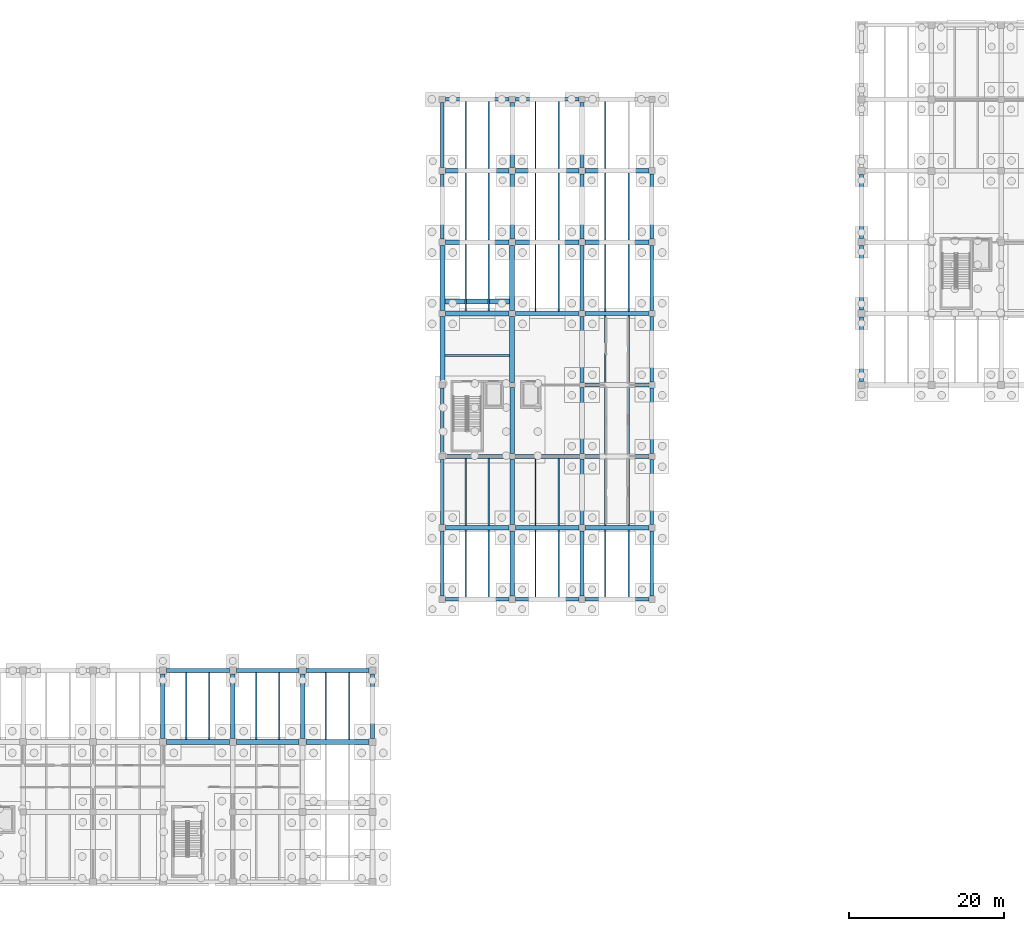
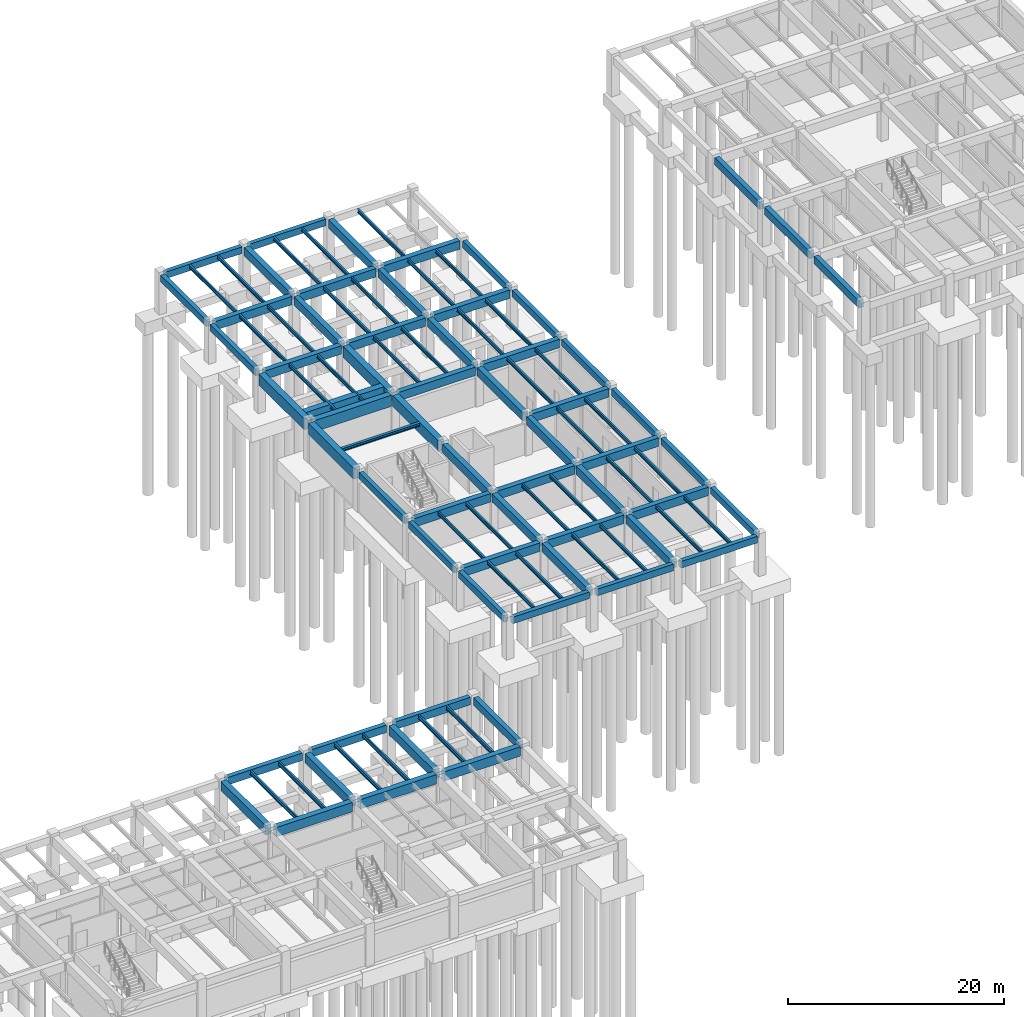
# One storey, part 6 of 16: 102 beams.
"""IFC4 building model written with IfcOpenShell, lengths in metres."""

from ifc_helpers import new_model, si_unit, direction, frame, origin, origin_2d, place, context, subcontext, project, spatial, rectangle, i_section, extrude, material, material_profile, profile_set, type_object, element, save


model = new_model("IFC4")

# Units and contexts
model_context = context("Model", 3, precision=1e-05, world=origin(), true_north=direction((0.0, 1.0)))
body_context = subcontext(model_context, "Body", "Model", "MODEL_VIEW")
ifc_project = project(units=[si_unit("LENGTHUNIT", "METRE"), si_unit("AREAUNIT", "SQUARE_METRE"), si_unit("VOLUMEUNIT", "CUBIC_METRE"), si_unit("PLANEANGLEUNIT", "RADIAN"), si_unit("MASSUNIT", "GRAM", prefix="KILO")], contexts=[model_context])

# Site, building, storey
site_placement = place(None, origin())
site = spatial("IfcSite", under=ifc_project, at=site_placement, CompositionType="ELEMENT")
building_placement = place(site_placement, origin())
building = spatial("IfcBuilding", under=site, at=building_placement, Name="Bozkorgan Art Gallery", CompositionType="ELEMENT")
storey_placement = place(building_placement, frame((0.0, 0.0, -4.800048828125)))
storey = spatial("IfcBuildingStorey", under=building, at=storey_placement, Name="B1", CompositionType="ELEMENT", Elevation=-4.800048828125)

# Beams
ifc_material_1 = material(Name="Concrete C35/45", Category="concrete")
ifc_material_profile_1 = material_profile(ifc_material_1, rectangle(XDim=0.60009765625, YDim=1.050048828125, at=origin_2d()), Name="RC 600x1050")
ifc_profile_set_1 = profile_set([ifc_material_profile_1], Name="Concrete C35/45")
beam_type_1 = type_object("IfcBeamType", Name="BEAM-BM-25", PredefinedType="BEAM", material=ifc_profile_set_1)
for number, where, z_axis, x_axis, name in (
    (1, (38.449951171875, 20.0, 3.955078125), (1.0, 0.0, 0.0), (0.0, 1.0, 0.0), "V1 B1 beam X (38-47, 20.0)"),
    (2, (47.449951171875, 20.0, 3.955078125), (1.0, 0.0, 0.0), (0.0, 1.0, 0.0), "V1 B1 beam X (47-56, 20.0)"),
    (3, (56.449951171875, 20.0, 3.955078125), (1.0, 0.0, 0.0), (0.0, 1.0, 0.0), "V1 B1 beam X (56-65, 20.0)"),
):
    element("IfcBeam", number, at=place(storey_placement, frame(where, z_axis=z_axis, x_axis=x_axis)), inside=storey, type_object=beam_type_1, Name=name, PredefinedType="BEAM", context=body_context, shape_type="SweptSolid", body=[
        extrude(rectangle(XDim=0.60009765625, YDim=1.050048828125, at=origin_2d()), origin(), (0.0, 0.0, 1.0), 8.10009765625),
    ])
for number, where, z_axis, x_axis, name in (
    (4, (38.0, 20.449951171875, 3.955078125), (0.0, 1.0, 0.0), (-1.0, 0.0, 0.0), "V1 B1 beam Y (38, 20.0-29.2)"),
    (5, (47.0, 20.449951171875, 3.955078125), (0.0, 1.0, 0.0), (-1.0, 0.0, 0.0), "V1 B1 beam Y (47, 20.0-29.2)"),
    (6, (56.0, 20.449951171875, 3.955078125), (0.0, 1.0, 0.0), (-1.0, 0.0, 0.0), "V1 B1 beam Y (56, 20.0-29.2)"),
):
    element("IfcBeam", number, at=place(storey_placement, frame(where, z_axis=z_axis, x_axis=x_axis)), inside=storey, type_object=beam_type_1, Name=name, PredefinedType="BEAM", context=body_context, shape_type="SweptSolid", body=[
        extrude(rectangle(XDim=0.60009765625, YDim=1.050048828125, at=origin_2d()), origin(), (0.0, 0.0, 1.0), 8.300048828125),
    ])
ifc_material_profile_2 = material_profile(ifc_material_1, rectangle(XDim=0.550048828125, YDim=0.949951171875, at=origin_2d()), Name="RC 550x950")
ifc_profile_set_2 = profile_set([ifc_material_profile_2], Name="Concrete C35/45")
beam_type_2 = type_object("IfcBeamType", Name="BEAM-BM-97", PredefinedType="BEAM", material=ifc_profile_set_2)
for number, where, z_axis, x_axis, name in (
    (7, (74.39990234375, 47.60009765625, 4.005126953125), (1.0, 0.0, 0.0), (0.0, 1.0, 0.0), "V4 B1 beam X (74-83, 47.6)"),
    (8, (83.39990234375, 47.60009765625, 4.005126953125), (1.0, 0.0, 0.0), (0.0, 1.0, 0.0), "V4 B1 beam X (83-92, 47.6)"),
    (9, (92.39990234375, 47.60009765625, 4.005126953125), (1.0, 0.0, 0.0), (0.0, 1.0, 0.0), "V4 B1 beam X (92-101, 47.6)"),
):
    element("IfcBeam", number, at=place(storey_placement, frame(where, z_axis=z_axis, x_axis=x_axis)), inside=storey, type_object=beam_type_2, Name=name, PredefinedType="BEAM", context=body_context, shape_type="SweptSolid", body=[
        extrude(rectangle(XDim=0.550048828125, YDim=0.949951171875, at=origin_2d()), origin(), (0.0, 0.0, 1.0), 8.2001953125),
    ])
beam_1_placement = place(storey_placement, frame((74.39990234375, 56.800048828125, 4.005126953125), z_axis=(1.0, 0.0, 0.0), x_axis=(0.0, 1.0, 0.0)))
element("IfcBeam", 10, at=beam_1_placement, inside=storey, type_object=beam_type_2, Name="V4 B1 beam X (74-83, 56.8)", PredefinedType="BEAM", context=body_context, shape_type="SweptSolid", body=[
    extrude(rectangle(XDim=0.550048828125, YDim=0.949951171875, at=origin_2d()), origin(), (0.0, 0.0, 1.0), 8.25),
])
beam_2_placement = place(storey_placement, frame((83.35009765625, 56.800048828125, 4.005126953125), z_axis=(1.0, 0.0, 0.0), x_axis=(0.0, 1.0, 0.0)))
element("IfcBeam", 11, at=beam_2_placement, inside=storey, type_object=beam_type_2, Name="V4 B1 beam X (83-92, 56.8)", PredefinedType="BEAM", context=body_context, shape_type="SweptSolid", body=[
    extrude(rectangle(XDim=0.550048828125, YDim=0.949951171875, at=origin_2d()), origin(), (0.0, 0.0, 1.0), 8.2998046875),
])
for number, where, z_axis, x_axis, name in (
    (12, (92.35009765625, 56.800048828125, 4.005126953125), (1.0, 0.0, 0.0), (0.0, 1.0, 0.0), "V4 B1 beam X (92-101, 56.8)"),
    (13, (92.35009765625, 66.0, 4.005126953125), (1.0, 0.0, 0.0), (0.0, 1.0, 0.0), "V4 B1 beam X (92-101, 66.0)"),
):
    element("IfcBeam", number, at=place(storey_placement, frame(where, z_axis=z_axis, x_axis=x_axis)), inside=storey, type_object=beam_type_2, Name=name, PredefinedType="BEAM", context=body_context, shape_type="SweptSolid", body=[
        extrude(rectangle(XDim=0.550048828125, YDim=0.949951171875, at=origin_2d()), origin(), (0.0, 0.0, 1.0), 8.25),
    ])
for number, where, z_axis, x_axis, name in (
    (14, (83.39990234375, 75.199951171875, 4.005126953125), (1.0, 0.0, 0.0), (0.0, 1.0, 0.0), "V4 B1 beam X (83-92, 75.2)"),
    (15, (92.39990234375, 75.199951171875, 4.005126953125), (1.0, 0.0, 0.0), (0.0, 1.0, 0.0), "V4 B1 beam X (92-101, 75.2)"),
    (16, (74.39990234375, 84.39990234375, 4.005126953125), (1.0, 0.0, 0.0), (0.0, 1.0, 0.0), "V4 B1 beam X (74-83, 84.4)"),
    (17, (83.39990234375, 84.39990234375, 4.005126953125), (1.0, 0.0, 0.0), (0.0, 1.0, 0.0), "V4 B1 beam X (83-92, 84.4)"),
    (18, (92.39990234375, 84.39990234375, 4.005126953125), (1.0, 0.0, 0.0), (0.0, 1.0, 0.0), "V4 B1 beam X (92-101, 84.4)"),
    (19, (74.39990234375, 93.60009765625, 4.005126953125), (1.0, 0.0, 0.0), (0.0, 1.0, 0.0), "V4 B1 beam X (74-83, 93.6)"),
    (20, (83.39990234375, 93.60009765625, 4.005126953125), (1.0, 0.0, 0.0), (0.0, 1.0, 0.0), "V4 B1 beam X (83-92, 93.6)"),
    (21, (92.39990234375, 93.60009765625, 4.005126953125), (1.0, 0.0, 0.0), (0.0, 1.0, 0.0), "V4 B1 beam X (92-101, 93.6)"),
):
    element("IfcBeam", number, at=place(storey_placement, frame(where, z_axis=z_axis, x_axis=x_axis)), inside=storey, type_object=beam_type_2, Name=name, PredefinedType="BEAM", context=body_context, shape_type="SweptSolid", body=[
        extrude(rectangle(XDim=0.550048828125, YDim=0.949951171875, at=origin_2d()), origin(), (0.0, 0.0, 1.0), 8.2001953125),
    ])
beam_3_placement = place(storey_placement, frame((83.0, 38.800048828125, 4.005126953125), z_axis=(0.0, 1.0, 0.0), x_axis=(-1.0, 0.0, 0.0)))
element("IfcBeam", 22, at=beam_3_placement, inside=storey, type_object=beam_type_2, Name="V4 B1 beam Y (83, 38.4-47.6)", PredefinedType="BEAM", context=body_context, shape_type="SweptSolid", body=[
    extrude(rectangle(XDim=0.550048828125, YDim=0.949951171875, at=origin_2d()), origin(), (0.0, 0.0, 1.0), 8.39990234375),
])
beam_4_placement = place(storey_placement, frame((83.0, 48.0, 4.005126953125), z_axis=(0.0, 1.0, 0.0), x_axis=(-1.0, 0.0, 0.0)))
element("IfcBeam", 23, at=beam_4_placement, inside=storey, type_object=beam_type_2, Name="V4 B1 beam Y (83, 47.6-56.8)", PredefinedType="BEAM", context=body_context, shape_type="SweptSolid", body=[
    extrude(rectangle(XDim=0.550048828125, YDim=0.949951171875, at=origin_2d()), origin(), (0.0, 0.0, 1.0), 8.449951171875),
])
beam_5_placement = place(storey_placement, frame((83.0, 57.14990234375, 4.005126953125), z_axis=(0.0, 1.0, 0.0), x_axis=(-1.0, 0.0, 0.0)))
element("IfcBeam", 24, at=beam_5_placement, inside=storey, type_object=beam_type_2, Name="V4 B1 beam Y (83, 56.8-66.0)", PredefinedType="BEAM", context=body_context, shape_type="SweptSolid", body=[
    extrude(rectangle(XDim=0.550048828125, YDim=0.949951171875, at=origin_2d()), origin(), (0.0, 0.0, 1.0), 8.5),
])
for number, where, z_axis, x_axis, name in (
    (25, (83.0, 84.800048828125, 4.005126953125), (0.0, 1.0, 0.0), (-1.0, 0.0, 0.0), "V4 B1 beam Y (83, 84.4-93.6)"),
    (26, (83.0, 94.0, 4.005126953125), (0.0, 1.0, 0.0), (-1.0, 0.0, 0.0), "V4 B1 beam Y (83, 93.6-102.8)"),
    (27, (92.0, 38.800048828125, 4.005126953125), (0.0, 1.0, 0.0), (-1.0, 0.0, 0.0), "V4 B1 beam Y (92, 38.4-47.6)"),
):
    element("IfcBeam", number, at=place(storey_placement, frame(where, z_axis=z_axis, x_axis=x_axis)), inside=storey, type_object=beam_type_2, Name=name, PredefinedType="BEAM", context=body_context, shape_type="SweptSolid", body=[
        extrude(rectangle(XDim=0.550048828125, YDim=0.949951171875, at=origin_2d()), origin(), (0.0, 0.0, 1.0), 8.39990234375),
    ])
beam_6_placement = place(storey_placement, frame((92.0, 48.0, 4.005126953125), z_axis=(0.0, 1.0, 0.0), x_axis=(-1.0, 0.0, 0.0)))
element("IfcBeam", 28, at=beam_6_placement, inside=storey, type_object=beam_type_2, Name="V4 B1 beam Y (92, 47.6-56.8)", PredefinedType="BEAM", context=body_context, shape_type="SweptSolid", body=[
    extrude(rectangle(XDim=0.550048828125, YDim=0.949951171875, at=origin_2d()), origin(), (0.0, 0.0, 1.0), 8.449951171875),
])
beam_7_placement = place(storey_placement, frame((92.0, 57.14990234375, 4.005126953125), z_axis=(0.0, 1.0, 0.0), x_axis=(-1.0, 0.0, 0.0)))
element("IfcBeam", 29, at=beam_7_placement, inside=storey, type_object=beam_type_2, Name="V4 B1 beam Y (92, 56.8-66.0)", PredefinedType="BEAM", context=body_context, shape_type="SweptSolid", body=[
    extrude(rectangle(XDim=0.550048828125, YDim=0.949951171875, at=origin_2d()), origin(), (0.0, 0.0, 1.0), 8.5),
])
beam_8_placement = place(storey_placement, frame((92.0, 66.35009765625, 4.005126953125), z_axis=(0.0, 1.0, 0.0), x_axis=(-1.0, 0.0, 0.0)))
element("IfcBeam", 30, at=beam_8_placement, inside=storey, type_object=beam_type_2, Name="V4 B1 beam Y (92, 66.0-75.2)", PredefinedType="BEAM", context=body_context, shape_type="SweptSolid", body=[
    extrude(rectangle(XDim=0.550048828125, YDim=0.949951171875, at=origin_2d()), origin(), (0.0, 0.0, 1.0), 8.449951171875),
])
for number, where, z_axis, x_axis, name in (
    (31, (92.0, 75.60009765625, 4.005126953125), (0.0, 1.0, 0.0), (-1.0, 0.0, 0.0), "V4 B1 beam Y (92, 75.2-84.4)"),
    (32, (92.0, 84.800048828125, 4.005126953125), (0.0, 1.0, 0.0), (-1.0, 0.0, 0.0), "V4 B1 beam Y (92, 84.4-93.6)"),
    (33, (92.0, 94.0, 4.005126953125), (0.0, 1.0, 0.0), (-1.0, 0.0, 0.0), "V4 B1 beam Y (92, 93.6-102.8)"),
):
    element("IfcBeam", number, at=place(storey_placement, frame(where, z_axis=z_axis, x_axis=x_axis)), inside=storey, type_object=beam_type_2, Name=name, PredefinedType="BEAM", context=body_context, shape_type="SweptSolid", body=[
        extrude(rectangle(XDim=0.550048828125, YDim=0.949951171875, at=origin_2d()), origin(), (0.0, 0.0, 1.0), 8.39990234375),
    ])
ifc_material_2 = material(Name="Steel S355J2", Category="steel")
ifc_material_profile_3 = material_profile(ifc_material_2, i_section(OverallWidth=0.18994140625, OverallDepth=0.449951171875, WebThickness=0.009521484375, FlangeThickness=0.0146484375, FilletRadius=0.02099609375, at=origin_2d()), Name="IPE 450")
ifc_profile_set_3 = profile_set([ifc_material_profile_3], Name="Steel S355J2")
beam_type_3 = type_object("IfcBeamType", Name="BEAM-JS-56", PredefinedType="JOIST", material=ifc_profile_set_3)
for number, where, z_axis, x_axis, name in (
    (34, (41.0, 20.300048828125, 4.255126953125), (0.0, 1.0, 0.0), (-1.0, 0.0, 0.0), "V1 B1 secondary joist (38-47, 20.0-29.2) #1"),
    (35, (44.0, 20.300048828125, 4.255126953125), (0.0, 1.0, 0.0), (-1.0, 0.0, 0.0), "V1 B1 secondary joist (38-47, 20.0-29.2) #2"),
    (36, (50.0, 20.300048828125, 4.255126953125), (0.0, 1.0, 0.0), (-1.0, 0.0, 0.0), "V1 B1 secondary joist (47-56, 20.0-29.2) #1"),
    (37, (53.0, 20.300048828125, 4.255126953125), (0.0, 1.0, 0.0), (-1.0, 0.0, 0.0), "V1 B1 secondary joist (47-56, 20.0-29.2) #2"),
    (38, (59.0, 20.300048828125, 4.255126953125), (0.0, 1.0, 0.0), (-1.0, 0.0, 0.0), "V1 B1 secondary joist (56-65, 20.0-29.2) #1"),
    (39, (62.0, 20.300048828125, 4.255126953125), (0.0, 1.0, 0.0), (-1.0, 0.0, 0.0), "V1 B1 secondary joist (56-65, 20.0-29.2) #2"),
):
    element("IfcBeam", number, at=place(storey_placement, frame(where, z_axis=z_axis, x_axis=x_axis)), inside=storey, type_object=beam_type_3, Name=name, PredefinedType="JOIST", context=body_context, shape_type="SweptSolid", body=[
        extrude(i_section(OverallWidth=0.18994140625, OverallDepth=0.449951171875, WebThickness=0.009521484375, FlangeThickness=0.0146484375, FilletRadius=0.02099609375, at=origin_2d()), origin(), (0.0, 0.0, 1.0), 8.64990234375),
    ])
ifc_material_profile_4 = material_profile(ifc_material_2, i_section(OverallWidth=0.179931640625, OverallDepth=0.39990234375, WebThickness=0.008544921875, FlangeThickness=0.013427734375, FilletRadius=0.02099609375, at=origin_2d()), Name="IPE 400")
ifc_profile_set_4 = profile_set([ifc_material_profile_4], Name="Steel S355J2")
beam_type_4 = type_object("IfcBeamType", Name="BEAM-JS-83", PredefinedType="JOIST", material=ifc_profile_set_4)
for number, where, z_axis, x_axis, name in (
    (40, (77.0, 38.625, 4.280029296875), (0.0, 1.0, 0.0), (-1.0, 0.0, 0.0), "V4 B1 secondary joist (74-83, 38.4-47.6) #1"),
    (41, (80.0, 38.625, 4.280029296875), (0.0, 1.0, 0.0), (-1.0, 0.0, 0.0), "V4 B1 secondary joist (74-83, 38.4-47.6) #2"),
):
    element("IfcBeam", number, at=place(storey_placement, frame(where, z_axis=z_axis, x_axis=x_axis)), inside=storey, type_object=beam_type_4, Name=name, PredefinedType="JOIST", context=body_context, shape_type="SweptSolid", body=[
        extrude(i_section(OverallWidth=0.179931640625, OverallDepth=0.39990234375, WebThickness=0.008544921875, FlangeThickness=0.013427734375, FilletRadius=0.02099609375, at=origin_2d()), origin(), (0.0, 0.0, 1.0), 8.699951171875),
    ])
for number, where, z_axis, x_axis, name in (
    (42, (77.0, 47.875, 4.280029296875), (0.0, 1.0, 0.0), (-1.0, 0.0, 0.0), "V4 B1 secondary joist (74-83, 47.6-56.8) #1"),
    (43, (80.0, 47.875, 4.280029296875), (0.0, 1.0, 0.0), (-1.0, 0.0, 0.0), "V4 B1 secondary joist (74-83, 47.6-56.8) #2"),
):
    element("IfcBeam", number, at=place(storey_placement, frame(where, z_axis=z_axis, x_axis=x_axis)), inside=storey, type_object=beam_type_4, Name=name, PredefinedType="JOIST", context=body_context, shape_type="SweptSolid", body=[
        extrude(i_section(OverallWidth=0.179931640625, OverallDepth=0.39990234375, WebThickness=0.008544921875, FlangeThickness=0.013427734375, FilletRadius=0.02099609375, at=origin_2d()), origin(), (0.0, 0.0, 1.0), 8.64990234375),
    ])
for number, where, z_axis, x_axis, name in (
    (44, (77.0, 75.52490234375, 4.280029296875), (0.0, 1.0, 0.0), (-1.0, 0.0, 0.0), "V4 B1 secondary joist (74-83, 75.2-84.4) #1"),
    (45, (80.0, 75.52490234375, 4.280029296875), (0.0, 1.0, 0.0), (-1.0, 0.0, 0.0), "V4 B1 secondary joist (74-83, 75.2-84.4) #2"),
):
    element("IfcBeam", number, at=place(storey_placement, frame(where, z_axis=z_axis, x_axis=x_axis)), inside=storey, type_object=beam_type_4, Name=name, PredefinedType="JOIST", context=body_context, shape_type="SweptSolid", body=[
        extrude(i_section(OverallWidth=0.179931640625, OverallDepth=0.39990234375, WebThickness=0.008544921875, FlangeThickness=0.013427734375, FilletRadius=0.02099609375, at=origin_2d()), origin(), (0.0, 0.0, 1.0), 8.60009765625),
    ])
for number, where, z_axis, x_axis, name in (
    (46, (77.0, 84.675048828125, 4.280029296875), (0.0, 1.0, 0.0), (-1.0, 0.0, 0.0), "V4 B1 secondary joist (74-83, 84.4-93.6) #1"),
    (47, (80.0, 84.675048828125, 4.280029296875), (0.0, 1.0, 0.0), (-1.0, 0.0, 0.0), "V4 B1 secondary joist (74-83, 84.4-93.6) #2"),
):
    element("IfcBeam", number, at=place(storey_placement, frame(where, z_axis=z_axis, x_axis=x_axis)), inside=storey, type_object=beam_type_4, Name=name, PredefinedType="JOIST", context=body_context, shape_type="SweptSolid", body=[
        extrude(i_section(OverallWidth=0.179931640625, OverallDepth=0.39990234375, WebThickness=0.008544921875, FlangeThickness=0.013427734375, FilletRadius=0.02099609375, at=origin_2d()), origin(), (0.0, 0.0, 1.0), 8.64990234375),
    ])
for number, where, z_axis, x_axis, name in (
    (48, (77.0, 93.875, 4.280029296875), (0.0, 1.0, 0.0), (-1.0, 0.0, 0.0), "V4 B1 secondary joist (74-83, 93.6-102.8) #1"),
    (49, (80.0, 93.875, 4.280029296875), (0.0, 1.0, 0.0), (-1.0, 0.0, 0.0), "V4 B1 secondary joist (74-83, 93.6-102.8) #2"),
    (50, (86.0, 38.625, 4.280029296875), (0.0, 1.0, 0.0), (-1.0, 0.0, 0.0), "V4 B1 secondary joist (83-92, 38.4-47.6) #1"),
    (51, (89.0, 38.625, 4.280029296875), (0.0, 1.0, 0.0), (-1.0, 0.0, 0.0), "V4 B1 secondary joist (83-92, 38.4-47.6) #2"),
):
    element("IfcBeam", number, at=place(storey_placement, frame(where, z_axis=z_axis, x_axis=x_axis)), inside=storey, type_object=beam_type_4, Name=name, PredefinedType="JOIST", context=body_context, shape_type="SweptSolid", body=[
        extrude(i_section(OverallWidth=0.179931640625, OverallDepth=0.39990234375, WebThickness=0.008544921875, FlangeThickness=0.013427734375, FilletRadius=0.02099609375, at=origin_2d()), origin(), (0.0, 0.0, 1.0), 8.699951171875),
    ])
for number, where, z_axis, x_axis, name in (
    (52, (86.0, 47.875, 4.280029296875), (0.0, 1.0, 0.0), (-1.0, 0.0, 0.0), "V4 B1 secondary joist (83-92, 47.6-56.8) #1"),
    (53, (89.0, 47.875, 4.280029296875), (0.0, 1.0, 0.0), (-1.0, 0.0, 0.0), "V4 B1 secondary joist (83-92, 47.6-56.8) #2"),
    (54, (86.0, 75.47509765625, 4.280029296875), (0.0, 1.0, 0.0), (-1.0, 0.0, 0.0), "V4 B1 secondary joist (83-92, 75.2-84.4) #1"),
    (55, (89.0, 75.47509765625, 4.280029296875), (0.0, 1.0, 0.0), (-1.0, 0.0, 0.0), "V4 B1 secondary joist (83-92, 75.2-84.4) #2"),
    (56, (86.0, 84.675048828125, 4.280029296875), (0.0, 1.0, 0.0), (-1.0, 0.0, 0.0), "V4 B1 secondary joist (83-92, 84.4-93.6) #1"),
    (57, (89.0, 84.675048828125, 4.280029296875), (0.0, 1.0, 0.0), (-1.0, 0.0, 0.0), "V4 B1 secondary joist (83-92, 84.4-93.6) #2"),
):
    element("IfcBeam", number, at=place(storey_placement, frame(where, z_axis=z_axis, x_axis=x_axis)), inside=storey, type_object=beam_type_4, Name=name, PredefinedType="JOIST", context=body_context, shape_type="SweptSolid", body=[
        extrude(i_section(OverallWidth=0.179931640625, OverallDepth=0.39990234375, WebThickness=0.008544921875, FlangeThickness=0.013427734375, FilletRadius=0.02099609375, at=origin_2d()), origin(), (0.0, 0.0, 1.0), 8.64990234375),
    ])
for number, where, z_axis, x_axis, name in (
    (58, (86.0, 93.875, 4.280029296875), (0.0, 1.0, 0.0), (-1.0, 0.0, 0.0), "V4 B1 secondary joist (83-92, 93.6-102.8) #1"),
    (59, (89.0, 93.875, 4.280029296875), (0.0, 1.0, 0.0), (-1.0, 0.0, 0.0), "V4 B1 secondary joist (83-92, 93.6-102.8) #2"),
    (60, (95.0, 38.625, 4.280029296875), (0.0, 1.0, 0.0), (-1.0, 0.0, 0.0), "V4 B1 secondary joist (92-101, 38.4-47.6) #1"),
    (61, (98.0, 38.625, 4.280029296875), (0.0, 1.0, 0.0), (-1.0, 0.0, 0.0), "V4 B1 secondary joist (92-101, 38.4-47.6) #2"),
):
    element("IfcBeam", number, at=place(storey_placement, frame(where, z_axis=z_axis, x_axis=x_axis)), inside=storey, type_object=beam_type_4, Name=name, PredefinedType="JOIST", context=body_context, shape_type="SweptSolid", body=[
        extrude(i_section(OverallWidth=0.179931640625, OverallDepth=0.39990234375, WebThickness=0.008544921875, FlangeThickness=0.013427734375, FilletRadius=0.02099609375, at=origin_2d()), origin(), (0.0, 0.0, 1.0), 8.699951171875),
    ])
for number, where, z_axis, x_axis, name in (
    (62, (95.0, 47.875, 4.280029296875), (0.0, 1.0, 0.0), (-1.0, 0.0, 0.0), "V4 B1 secondary joist (92-101, 47.6-56.8) #1"),
    (63, (98.0, 47.875, 4.280029296875), (0.0, 1.0, 0.0), (-1.0, 0.0, 0.0), "V4 B1 secondary joist (92-101, 47.6-56.8) #2"),
):
    element("IfcBeam", number, at=place(storey_placement, frame(where, z_axis=z_axis, x_axis=x_axis)), inside=storey, type_object=beam_type_4, Name=name, PredefinedType="JOIST", context=body_context, shape_type="SweptSolid", body=[
        extrude(i_section(OverallWidth=0.179931640625, OverallDepth=0.39990234375, WebThickness=0.008544921875, FlangeThickness=0.013427734375, FilletRadius=0.02099609375, at=origin_2d()), origin(), (0.0, 0.0, 1.0), 8.64990234375),
    ])
for number, where, z_axis, x_axis, name in (
    (64, (95.0, 57.074951171875, 4.280029296875), (0.0, 1.0, 0.0), (-1.0, 0.0, 0.0), "V4 B1 secondary joist (92-101, 56.8-66.0) #1"),
    (65, (98.0, 57.074951171875, 4.280029296875), (0.0, 1.0, 0.0), (-1.0, 0.0, 0.0), "V4 B1 secondary joist (92-101, 56.8-66.0) #2"),
    (66, (95.0, 66.27490234375, 4.280029296875), (0.0, 1.0, 0.0), (-1.0, 0.0, 0.0), "V4 B1 secondary joist (92-101, 66.0-75.2) #1"),
    (67, (98.0, 66.27490234375, 4.280029296875), (0.0, 1.0, 0.0), (-1.0, 0.0, 0.0), "V4 B1 secondary joist (92-101, 66.0-75.2) #2"),
):
    element("IfcBeam", number, at=place(storey_placement, frame(where, z_axis=z_axis, x_axis=x_axis)), inside=storey, type_object=beam_type_4, Name=name, PredefinedType="JOIST", context=body_context, shape_type="SweptSolid", body=[
        extrude(i_section(OverallWidth=0.179931640625, OverallDepth=0.39990234375, WebThickness=0.008544921875, FlangeThickness=0.013427734375, FilletRadius=0.02099609375, at=origin_2d()), origin(), (0.0, 0.0, 1.0), 8.650146484375),
    ])
for number, where, z_axis, x_axis, name in (
    (68, (95.0, 75.47509765625, 4.280029296875), (0.0, 1.0, 0.0), (-1.0, 0.0, 0.0), "V4 B1 secondary joist (92-101, 75.2-84.4) #1"),
    (69, (98.0, 75.47509765625, 4.280029296875), (0.0, 1.0, 0.0), (-1.0, 0.0, 0.0), "V4 B1 secondary joist (92-101, 75.2-84.4) #2"),
    (70, (95.0, 84.675048828125, 4.280029296875), (0.0, 1.0, 0.0), (-1.0, 0.0, 0.0), "V4 B1 secondary joist (92-101, 84.4-93.6) #1"),
    (71, (98.0, 84.675048828125, 4.280029296875), (0.0, 1.0, 0.0), (-1.0, 0.0, 0.0), "V4 B1 secondary joist (92-101, 84.4-93.6) #2"),
):
    element("IfcBeam", number, at=place(storey_placement, frame(where, z_axis=z_axis, x_axis=x_axis)), inside=storey, type_object=beam_type_4, Name=name, PredefinedType="JOIST", context=body_context, shape_type="SweptSolid", body=[
        extrude(i_section(OverallWidth=0.179931640625, OverallDepth=0.39990234375, WebThickness=0.008544921875, FlangeThickness=0.013427734375, FilletRadius=0.02099609375, at=origin_2d()), origin(), (0.0, 0.0, 1.0), 8.64990234375),
    ])
beam_9_placement = place(storey_placement, frame((95.0, 93.875, 4.280029296875), z_axis=(0.0, 1.0, 0.0), x_axis=(-1.0, 0.0, 0.0)))
element("IfcBeam", 72, at=beam_9_placement, inside=storey, type_object=beam_type_4, Name="V4 B1 secondary joist (92-101, 93.6-102.8) #1", PredefinedType="JOIST", context=body_context, shape_type="SweptSolid", body=[
    extrude(i_section(OverallWidth=0.179931640625, OverallDepth=0.39990234375, WebThickness=0.008544921875, FlangeThickness=0.013427734375, FilletRadius=0.02099609375, at=origin_2d()), origin(), (0.0, 0.0, 1.0), 8.699951171875),
])
ifc_material_profile_5 = material_profile(ifc_material_1, rectangle(XDim=0.449951171875, YDim=0.75, at=origin_2d()), Name="RC 450x750")
ifc_profile_set_5 = profile_set([ifc_material_profile_5], Name="Concrete C35/45")
beam_type_5 = type_object("IfcBeamType", Name="BEAM-SP-27", PredefinedType="SPANDREL", material=ifc_profile_set_5)
for number, where, z_axis, x_axis, name in (
    (73, (74.39990234375, 38.39990234375, 4.10498046875), (1.0, 0.0, 0.0), (0.0, 1.0, 0.0), "V4 B1 spandrel X (74-83, 38.4)"),
    (74, (83.39990234375, 38.39990234375, 4.10498046875), (1.0, 0.0, 0.0), (0.0, 1.0, 0.0), "V4 B1 spandrel X (83-92, 38.4)"),
    (75, (92.39990234375, 38.39990234375, 4.10498046875), (1.0, 0.0, 0.0), (0.0, 1.0, 0.0), "V4 B1 spandrel X (92-101, 38.4)"),
    (76, (74.39990234375, 102.800048828125, 4.10498046875), (1.0, 0.0, 0.0), (0.0, 1.0, 0.0), "V4 B1 spandrel X (74-83, 102.8)"),
    (77, (83.39990234375, 102.800048828125, 4.10498046875), (1.0, 0.0, 0.0), (0.0, 1.0, 0.0), "V4 B1 spandrel X (83-92, 102.8)"),
):
    element("IfcBeam", number, at=place(storey_placement, frame(where, z_axis=z_axis, x_axis=x_axis)), inside=storey, type_object=beam_type_5, Name=name, PredefinedType="SPANDREL", context=body_context, shape_type="SweptSolid", body=[
        extrude(rectangle(XDim=0.449951171875, YDim=0.75, at=origin_2d()), origin(), (0.0, 0.0, 1.0), 8.2001953125),
    ])
for number, where, z_axis, x_axis, name in (
    (78, (74.0, 38.800048828125, 4.10498046875), (0.0, 1.0, 0.0), (-1.0, 0.0, 0.0), "V4 B1 spandrel Y (74, 38.4-47.6)"),
    (79, (74.0, 48.0, 4.10498046875), (0.0, 1.0, 0.0), (-1.0, 0.0, 0.0), "V4 B1 spandrel Y (74, 47.6-56.8)"),
):
    element("IfcBeam", number, at=place(storey_placement, frame(where, z_axis=z_axis, x_axis=x_axis)), inside=storey, type_object=beam_type_5, Name=name, PredefinedType="SPANDREL", context=body_context, shape_type="SweptSolid", body=[
        extrude(rectangle(XDim=0.449951171875, YDim=0.75, at=origin_2d()), origin(), (0.0, 0.0, 1.0), 8.39990234375),
    ])
beam_10_placement = place(storey_placement, frame((74.0, 57.199951171875, 4.10498046875), z_axis=(0.0, 1.0, 0.0), x_axis=(-1.0, 0.0, 0.0)))
element("IfcBeam", 80, at=beam_10_placement, inside=storey, type_object=beam_type_5, Name="V4 B1 spandrel Y (74, 56.8-66.0)", PredefinedType="SPANDREL", context=body_context, shape_type="SweptSolid", body=[
    extrude(rectangle(XDim=0.449951171875, YDim=0.75, at=origin_2d()), origin(), (0.0, 0.0, 1.0), 8.400146484375),
])
for number, where, z_axis, x_axis, name in (
    (81, (74.0, 84.800048828125, 4.10498046875), (0.0, 1.0, 0.0), (-1.0, 0.0, 0.0), "V4 B1 spandrel Y (74, 84.4-93.6)"),
    (82, (74.0, 94.0, 4.10498046875), (0.0, 1.0, 0.0), (-1.0, 0.0, 0.0), "V4 B1 spandrel Y (74, 93.6-102.8)"),
    (83, (101.0, 38.800048828125, 4.10498046875), (0.0, 1.0, 0.0), (-1.0, 0.0, 0.0), "V4 B1 spandrel Y (101, 38.4-47.6)"),
    (84, (101.0, 48.0, 4.10498046875), (0.0, 1.0, 0.0), (-1.0, 0.0, 0.0), "V4 B1 spandrel Y (101, 47.6-56.8)"),
):
    element("IfcBeam", number, at=place(storey_placement, frame(where, z_axis=z_axis, x_axis=x_axis)), inside=storey, type_object=beam_type_5, Name=name, PredefinedType="SPANDREL", context=body_context, shape_type="SweptSolid", body=[
        extrude(rectangle(XDim=0.449951171875, YDim=0.75, at=origin_2d()), origin(), (0.0, 0.0, 1.0), 8.39990234375),
    ])
for number, where, z_axis, x_axis, name in (
    (85, (101.0, 57.199951171875, 4.10498046875), (0.0, 1.0, 0.0), (-1.0, 0.0, 0.0), "V4 B1 spandrel Y (101, 56.8-66.0)"),
    (86, (101.0, 66.39990234375, 4.10498046875), (0.0, 1.0, 0.0), (-1.0, 0.0, 0.0), "V4 B1 spandrel Y (101, 66.0-75.2)"),
):
    element("IfcBeam", number, at=place(storey_placement, frame(where, z_axis=z_axis, x_axis=x_axis)), inside=storey, type_object=beam_type_5, Name=name, PredefinedType="SPANDREL", context=body_context, shape_type="SweptSolid", body=[
        extrude(rectangle(XDim=0.449951171875, YDim=0.75, at=origin_2d()), origin(), (0.0, 0.0, 1.0), 8.400146484375),
    ])
for number, where, z_axis, x_axis, name in (
    (87, (101.0, 75.60009765625, 4.10498046875), (0.0, 1.0, 0.0), (-1.0, 0.0, 0.0), "V4 B1 spandrel Y (101, 75.2-84.4)"),
    (88, (101.0, 84.800048828125, 4.10498046875), (0.0, 1.0, 0.0), (-1.0, 0.0, 0.0), "V4 B1 spandrel Y (101, 84.4-93.6)"),
):
    element("IfcBeam", number, at=place(storey_placement, frame(where, z_axis=z_axis, x_axis=x_axis)), inside=storey, type_object=beam_type_5, Name=name, PredefinedType="SPANDREL", context=body_context, shape_type="SweptSolid", body=[
        extrude(rectangle(XDim=0.449951171875, YDim=0.75, at=origin_2d()), origin(), (0.0, 0.0, 1.0), 8.39990234375),
    ])
ifc_material_profile_6 = material_profile(ifc_material_1, rectangle(XDim=0.5, YDim=0.85009765625, at=origin_2d()), Name="RC 500x850")
ifc_profile_set_6 = profile_set([ifc_material_profile_6], Name="Concrete C35/45")
beam_type_6 = type_object("IfcBeamType", Name="BEAM-SP-30", PredefinedType="SPANDREL", material=ifc_profile_set_6)
for number, where, z_axis, x_axis, name in (
    (89, (38.449951171875, 29.199951171875, 4.054931640625), (1.0, 0.0, 0.0), (0.0, 1.0, 0.0), "V1 B1 spandrel X (38-47, 29.2)"),
    (90, (47.449951171875, 29.199951171875, 4.054931640625), (1.0, 0.0, 0.0), (0.0, 1.0, 0.0), "V1 B1 spandrel X (47-56, 29.2)"),
    (91, (56.449951171875, 29.199951171875, 4.054931640625), (1.0, 0.0, 0.0), (0.0, 1.0, 0.0), "V1 B1 spandrel X (56-65, 29.2)"),
):
    element("IfcBeam", number, at=place(storey_placement, frame(where, z_axis=z_axis, x_axis=x_axis)), inside=storey, type_object=beam_type_6, Name=name, PredefinedType="SPANDREL", context=body_context, shape_type="SweptSolid", body=[
        extrude(rectangle(XDim=0.5, YDim=0.85009765625, at=origin_2d()), origin(), (0.0, 0.0, 1.0), 8.10009765625),
    ])
for number, where, z_axis, x_axis, name in (
    (92, (65.0, 20.449951171875, 4.054931640625), (0.0, 1.0, 0.0), (-1.0, 0.0, 0.0), "V1 B1 spandrel Y (65, 20.0-29.2)"),
    (93, (128.0, 66.449951171875, 4.054931640625), (0.0, 1.0, 0.0), (-1.0, 0.0, 0.0), "V5 B1 spandrel Y (128, 66.0-75.2)"),
    (94, (128.0, 75.64990234375, 4.054931640625), (0.0, 1.0, 0.0), (-1.0, 0.0, 0.0), "V5 B1 spandrel Y (128, 75.2-84.4)"),
):
    element("IfcBeam", number, at=place(storey_placement, frame(where, z_axis=z_axis, x_axis=x_axis)), inside=storey, type_object=beam_type_6, Name=name, PredefinedType="SPANDREL", context=body_context, shape_type="SweptSolid", body=[
        extrude(rectangle(XDim=0.5, YDim=0.85009765625, at=origin_2d()), origin(), (0.0, 0.0, 1.0), 8.300048828125),
    ])
beam_11_placement = place(storey_placement, frame((128.0, 84.85009765625, 4.054931640625), z_axis=(0.0, 1.0, 0.0), x_axis=(-1.0, 0.0, 0.0)))
element("IfcBeam", 95, at=beam_11_placement, inside=storey, type_object=beam_type_6, Name="V5 B1 spandrel Y (128, 84.4-93.6)", PredefinedType="SPANDREL", context=body_context, shape_type="SweptSolid", body=[
    extrude(rectangle(XDim=0.5, YDim=0.85009765625, at=origin_2d()), origin(), (0.0, 0.0, 1.0), 8.2998046875),
])
ifc_material_3 = material(Name="Concrete C40/50", Category="concrete")
ifc_material_profile_7 = material_profile(ifc_material_3, rectangle(XDim=0.64990234375, YDim=1.25, at=origin_2d()), Name="RC 650x1250")
ifc_profile_set_7 = profile_set([ifc_material_profile_7], Name="Concrete C40/50")
beam_type_7 = type_object("IfcBeamType", Name="BEAM-TG-46", PredefinedType="SPANDREL", material=ifc_profile_set_7)
beam_12_placement = place(storey_placement, frame((74.0, 66.39990234375, 3.85498046875), z_axis=(0.0, 1.0, 0.0), x_axis=(-1.0, 0.0, 0.0)))
element("IfcBeam", 96, at=beam_12_placement, inside=storey, type_object=beam_type_7, Name="V4 B1 spandrel Y (74, 66.0-75.2)", PredefinedType="SPANDREL", context=body_context, shape_type="SweptSolid", body=[
    extrude(rectangle(XDim=0.64990234375, YDim=1.25, at=origin_2d()), origin(), (0.0, 0.0, 1.0), 8.400146484375),
])
beam_13_placement = place(storey_placement, frame((74.0, 75.60009765625, 3.85498046875), z_axis=(0.0, 1.0, 0.0), x_axis=(-1.0, 0.0, 0.0)))
element("IfcBeam", 97, at=beam_13_placement, inside=storey, type_object=beam_type_7, Name="V4 B1 spandrel Y (74, 75.2-84.4)", PredefinedType="SPANDREL", context=body_context, shape_type="SweptSolid", body=[
    extrude(rectangle(XDim=0.64990234375, YDim=1.25, at=origin_2d()), origin(), (0.0, 0.0, 1.0), 8.39990234375),
])
ifc_material_profile_8 = material_profile(ifc_material_3, rectangle(XDim=0.64990234375, YDim=1.25, at=origin_2d()), Name="RC 650x1250")
ifc_profile_set_8 = profile_set([ifc_material_profile_8], Name="Concrete C40/50")
beam_type_8 = type_object("IfcBeamType", Name="BEAM-TG-51", PredefinedType="BEAM", material=ifc_profile_set_8)
beam_14_placement = place(storey_placement, frame((74.39990234375, 75.199951171875, 3.85498046875), z_axis=(1.0, 0.0, 0.0), x_axis=(0.0, 1.0, 0.0)))
element("IfcBeam", 98, at=beam_14_placement, inside=storey, type_object=beam_type_8, Name="V4 B1 beam X (74-83, 75.2)", PredefinedType="BEAM", context=body_context, shape_type="SweptSolid", body=[
    extrude(rectangle(XDim=0.64990234375, YDim=1.25, at=origin_2d()), origin(), (0.0, 0.0, 1.0), 8.2001953125),
])
beam_15_placement = place(storey_placement, frame((83.0, 66.35009765625, 3.85498046875), z_axis=(0.0, 1.0, 0.0), x_axis=(-1.0, 0.0, 0.0)))
element("IfcBeam", 99, at=beam_15_placement, inside=storey, type_object=beam_type_8, Name="V4 B1 beam Y (83, 66.0-75.2)", PredefinedType="BEAM", context=body_context, shape_type="SweptSolid", body=[
    extrude(rectangle(XDim=0.64990234375, YDim=1.25, at=origin_2d()), origin(), (0.0, 0.0, 1.0), 8.449951171875),
])
beam_16_placement = place(storey_placement, frame((83.0, 75.60009765625, 3.85498046875), z_axis=(0.0, 1.0, 0.0), x_axis=(-1.0, 0.0, 0.0)))
element("IfcBeam", 100, at=beam_16_placement, inside=storey, type_object=beam_type_8, Name="V4 B1 beam Y (83, 75.2-84.4)", PredefinedType="BEAM", context=body_context, shape_type="SweptSolid", body=[
    extrude(rectangle(XDim=0.64990234375, YDim=1.25, at=origin_2d()), origin(), (0.0, 0.0, 1.0), 8.39990234375),
])
ifc_material_profile_9 = material_profile(ifc_material_2, i_section(OverallWidth=0.300048828125, OverallDepth=0.35009765625, WebThickness=0.010009765625, FlangeThickness=0.017578125, FilletRadius=0.027099609375, at=origin_2d()), Name="HEA 360")
ifc_profile_set_9 = profile_set([ifc_material_profile_9], Name="Steel S355J2")
beam_type_9 = type_object("IfcBeamType", Name="BM-ATR-TRIM", PredefinedType="BEAM", material=ifc_profile_set_9)
beam_17_placement = place(storey_placement, frame((74.324951171875, 69.81005859375, 4.304931640625), z_axis=(1.0, 0.0, 0.0), x_axis=(0.0, 1.0, 0.0)))
element("IfcBeam", 101, at=beam_17_placement, inside=storey, type_object=beam_type_9, Name="ST9 lower flight trimmer beam", PredefinedType="BEAM", context=body_context, shape_type="SweptSolid", body=[
    extrude(i_section(OverallWidth=0.300048828125, OverallDepth=0.35009765625, WebThickness=0.010009765625, FlangeThickness=0.017578125, FilletRadius=0.027099609375, at=origin_2d()), origin(), (0.0, 0.0, 1.0), 8.35009765625),
])
ifc_material_profile_10 = material_profile(ifc_material_3, rectangle(XDim=0.64990234375, YDim=1.25, at=origin_2d()), Name="RC 650x1250")
ifc_profile_set_10 = profile_set([ifc_material_profile_10], Name="Concrete C40/50")
beam_type_10 = type_object("IfcBeamType", Name="BM-FST-XFER", PredefinedType="BEAM", material=ifc_profile_set_10)
beam_18_placement = place(storey_placement, frame((74.324951171875, 76.75, 3.85498046875), z_axis=(1.0, 0.0, 0.0), x_axis=(0.0, 1.0, 0.0)))
element("IfcBeam", 102, at=beam_18_placement, inside=storey, type_object=beam_type_10, Name="ST9 north landing transfer girder", PredefinedType="BEAM", context=body_context, shape_type="SweptSolid", body=[
    extrude(rectangle(XDim=0.64990234375, YDim=1.25, at=origin_2d()), origin(), (0.0, 0.0, 1.0), 8.35009765625),
])

save(model, "model.ifc")
